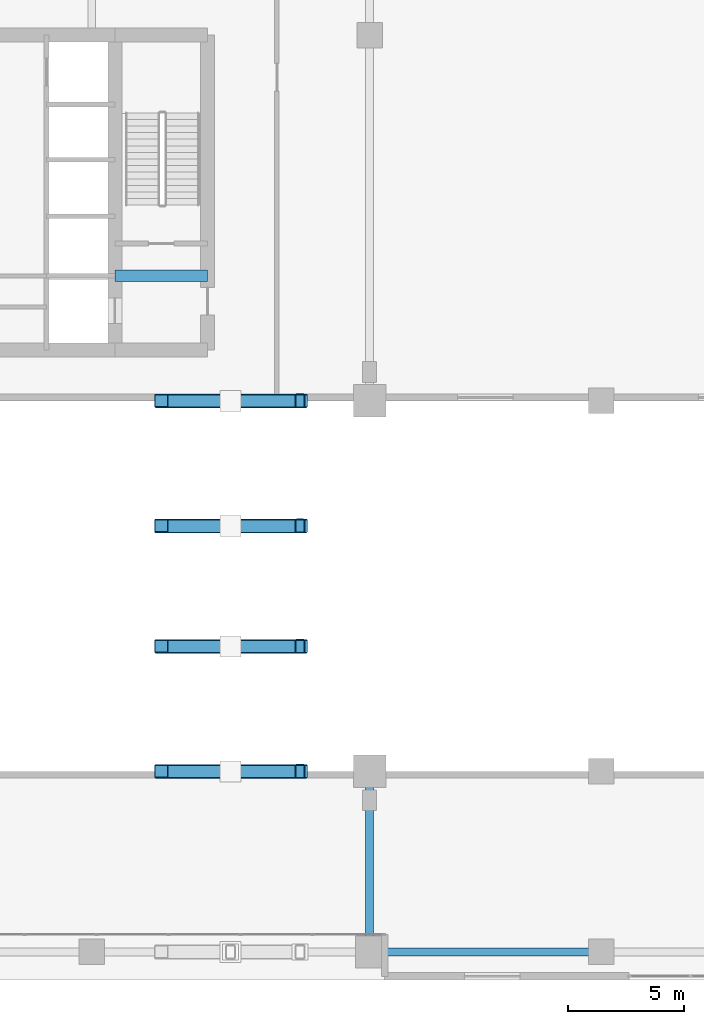
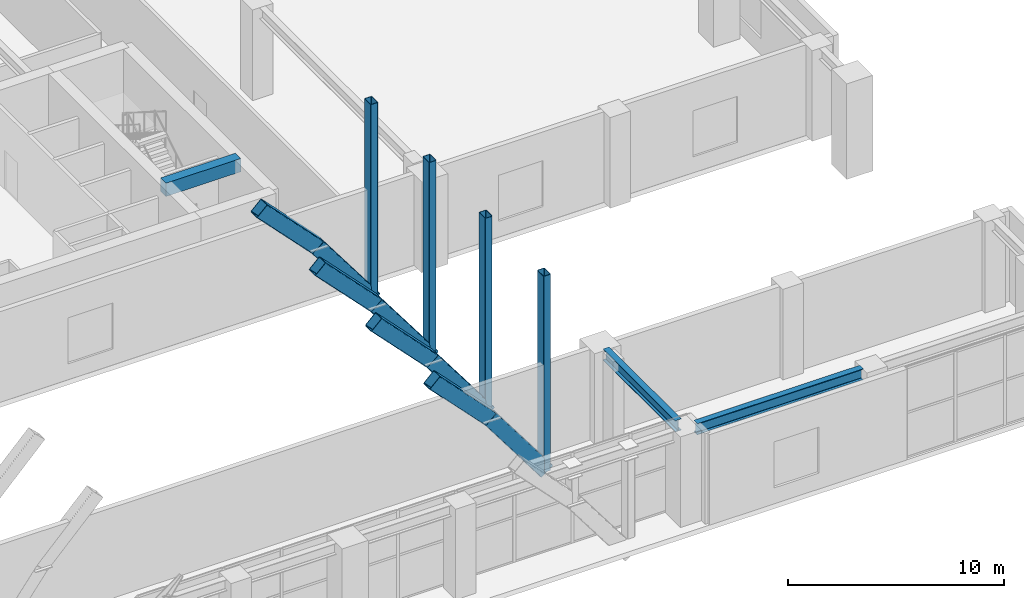
# One storey, part 8 of 28: 12 members, 3 beams.
"""IFC4 building model written with IfcOpenShell, lengths in metres."""

from ifc_helpers import new_model, si_unit, direction, frame, origin, origin_2d, place, context, subcontext, project, spatial, rectangle, hollow_rectangle, i_section, extrude, material, material_profile, profile_set, type_object, element, save


model = new_model("IFC4")

# Units and contexts
model_context = context("Model", 3, precision=1e-05, world=origin(), true_north=direction((0.0, 1.0)))
body_context = subcontext(model_context, "Body", "Model", "MODEL_VIEW")
ifc_project = project(units=[si_unit("LENGTHUNIT", "METRE"), si_unit("AREAUNIT", "SQUARE_METRE"), si_unit("VOLUMEUNIT", "CUBIC_METRE"), si_unit("PLANEANGLEUNIT", "RADIAN"), si_unit("MASSUNIT", "GRAM", prefix="KILO")], contexts=[model_context])

# Site, building, storey
site_placement = place(None, origin())
site = spatial("IfcSite", under=ifc_project, at=site_placement, CompositionType="ELEMENT")
building_placement = place(site_placement, origin())
building = spatial("IfcBuilding", under=site, at=building_placement, Name="Sarneth Arch Tower", CompositionType="ELEMENT")
storey_placement = place(building_placement, frame((0.0, 0.0, 6.0)))
storey = spatial("IfcBuildingStorey", under=building, at=storey_placement, Name="L01", CompositionType="ELEMENT", Elevation=6.0)

# Beams
ifc_material_1 = material(Name="Concrete C50/60", Category="concrete")
ifc_material_profile_1 = material_profile(ifc_material_1, rectangle(XDim=0.5, YDim=0.75, at=origin_2d()), Name="RC-500x750")
ifc_profile_set_1 = profile_set([ifc_material_profile_1], Name="Concrete C50/60")
beam_type_1 = type_object("IfcBeamType", Name="BM-LINTEL-RC", PredefinedType="LINTEL", material=ifc_profile_set_1)
beam_1_placement = place(storey_placement, frame((55.0, 38.39990234375, 4.7451171875), z_axis=(1.0, 0.0, 0.0), x_axis=(0.0, 1.0, 0.0)))
element("IfcBeam", 1, at=beam_1_placement, inside=storey, type_object=beam_type_1, Name="L01 Core coupling lintel E", PredefinedType="LINTEL", context=body_context, shape_type="SweptSolid", body=[
    extrude(rectangle(XDim=0.5, YDim=0.75, at=origin_2d()), origin(), (0.0, 0.0, 1.0), 4.0),
])
ifc_material_2 = material(Name="Steel S355", Category="steel")
ifc_material_profile_2 = material_profile(ifc_material_2, i_section(OverallWidth=0.3291015625, OverallDepth=0.635009765625, WebThickness=0.017822265625, FlangeThickness=0.031005859375, FilletRadius=0.01904296875, at=origin_2d()), Name="W610x241")
ifc_profile_set_2 = profile_set([ifc_material_profile_2], Name="Steel S355")
beam_type_2 = type_object("IfcBeamType", Name="BM-POD-610", PredefinedType="BEAM", material=ifc_profile_set_2)
beam_2_placement = place(storey_placement, frame((66.6044921875, 9.199951171875, 4.802490234375), z_axis=(1.0, 0.0, 0.0), x_axis=(0.0, 1.0, 0.0)))
element("IfcBeam", 2, at=beam_2_placement, inside=storey, type_object=beam_type_2, Name="L01 Podium PS girder 7", PredefinedType="BEAM", context=body_context, shape_type="SweptSolid", body=[
    extrude(i_section(OverallWidth=0.3291015625, OverallDepth=0.635009765625, WebThickness=0.017822265625, FlangeThickness=0.031005859375, FilletRadius=0.01904296875, at=origin_2d()), origin(), (0.0, 0.0, 1.0), 8.87548828125),
])
beam_3_placement = place(storey_placement, frame((66.0, 9.75, 4.802490234375), z_axis=(0.0, 1.0, 0.0), x_axis=(-1.0, 0.0, 0.0)))
element("IfcBeam", 3, at=beam_3_placement, inside=storey, type_object=beam_type_2, Name="L01 Podium N-S girder E66.1", PredefinedType="BEAM", context=body_context, shape_type="SweptSolid", body=[
    extrude(i_section(OverallWidth=0.3291015625, OverallDepth=0.635009765625, WebThickness=0.017822265625, FlangeThickness=0.031005859375, FilletRadius=0.01904296875, at=origin_2d()), origin(), (0.0, 0.0, 1.0), 6.699951171875),
])

# Members
ifc_material_3 = material(Name="Steel S355", Category="steel")
ifc_material_profile_3 = material_profile(ifc_material_3, hollow_rectangle(XDim=0.60009765625, YDim=0.800048828125, WallThickness=0.028076171875, InnerFilletRadius=0.0419921875, OuterFilletRadius=0.070068359375, at=origin_2d()), Name="RHS800x600x28")
ifc_profile_set_3 = profile_set([ifc_material_profile_3], Name="Steel S355")
member_type_1 = type_object("IfcMemberType", Name="MEM-ARCH-CHORD", PredefinedType="CHORD", material=ifc_profile_set_3)
member_1_placement = place(storey_placement, frame((57.0, 17.0, 6.13134765625), z_axis=(0.694675220792, 0.0, -0.71932352778), x_axis=(0.0, 1.0, 0.0)))
element("IfcMember", 4, at=member_1_placement, inside=storey, type_object=member_type_1, Name="Podium parabolic arch rib 2 segment 10", PredefinedType="CHORD", context=body_context, shape_type="SweptSolid", body=[
    extrude(hollow_rectangle(XDim=0.60009765625, YDim=0.800048828125, WallThickness=0.028076171875, InnerFilletRadius=0.0419921875, OuterFilletRadius=0.070068359375, at=origin_2d()), origin(), (0.0, 0.0, 1.0), 4.318603515625),
])
member_2_placement = place(storey_placement, frame((60.0, 17.0, 3.02490234375), z_axis=(0.60060981993, 0.0, -0.799542271681), x_axis=(0.0, 1.0, 0.0)))
element("IfcMember", 5, at=member_2_placement, inside=storey, type_object=member_type_1, Name="Podium parabolic arch rib 2 segment 11", PredefinedType="CHORD", context=body_context, shape_type="SweptSolid", body=[
    extrude(hollow_rectangle(XDim=0.60009765625, YDim=0.800048828125, WallThickness=0.028076171875, InnerFilletRadius=0.0419921875, OuterFilletRadius=0.070068359375, at=origin_2d()), origin(), (0.0, 0.0, 1.0), 4.994873046875),
])
member_3_placement = place(storey_placement, frame((57.0, 22.39990234375, 6.13134765625), z_axis=(0.694675220792, 0.0, -0.71932352778), x_axis=(0.0, 1.0, 0.0)))
element("IfcMember", 6, at=member_3_placement, inside=storey, type_object=member_type_1, Name="Podium parabolic arch rib 3 segment 10", PredefinedType="CHORD", context=body_context, shape_type="SweptSolid", body=[
    extrude(hollow_rectangle(XDim=0.60009765625, YDim=0.800048828125, WallThickness=0.028076171875, InnerFilletRadius=0.0419921875, OuterFilletRadius=0.070068359375, at=origin_2d()), origin(), (0.0, 0.0, 1.0), 4.318603515625),
])
member_4_placement = place(storey_placement, frame((60.0, 22.39990234375, 3.02490234375), z_axis=(0.60060981993, 0.0, -0.799542271681), x_axis=(0.0, 1.0, 0.0)))
element("IfcMember", 7, at=member_4_placement, inside=storey, type_object=member_type_1, Name="Podium parabolic arch rib 3 segment 11", PredefinedType="CHORD", context=body_context, shape_type="SweptSolid", body=[
    extrude(hollow_rectangle(XDim=0.60009765625, YDim=0.800048828125, WallThickness=0.028076171875, InnerFilletRadius=0.0419921875, OuterFilletRadius=0.070068359375, at=origin_2d()), origin(), (0.0, 0.0, 1.0), 4.994873046875),
])
member_5_placement = place(storey_placement, frame((57.0, 27.60009765625, 6.13134765625), z_axis=(0.694675220792, 0.0, -0.71932352778), x_axis=(0.0, 1.0, 0.0)))
element("IfcMember", 8, at=member_5_placement, inside=storey, type_object=member_type_1, Name="Podium parabolic arch rib 4 segment 10", PredefinedType="CHORD", context=body_context, shape_type="SweptSolid", body=[
    extrude(hollow_rectangle(XDim=0.60009765625, YDim=0.800048828125, WallThickness=0.028076171875, InnerFilletRadius=0.0419921875, OuterFilletRadius=0.070068359375, at=origin_2d()), origin(), (0.0, 0.0, 1.0), 4.318603515625),
])
member_6_placement = place(storey_placement, frame((60.0, 27.60009765625, 3.02490234375), z_axis=(0.60060981993, 0.0, -0.799542271681), x_axis=(0.0, 1.0, 0.0)))
element("IfcMember", 9, at=member_6_placement, inside=storey, type_object=member_type_1, Name="Podium parabolic arch rib 4 segment 11", PredefinedType="CHORD", context=body_context, shape_type="SweptSolid", body=[
    extrude(hollow_rectangle(XDim=0.60009765625, YDim=0.800048828125, WallThickness=0.028076171875, InnerFilletRadius=0.0419921875, OuterFilletRadius=0.070068359375, at=origin_2d()), origin(), (0.0, 0.0, 1.0), 4.994873046875),
])
member_7_placement = place(storey_placement, frame((57.0, 33.0, 6.13134765625), z_axis=(0.694675220792, 0.0, -0.71932352778), x_axis=(0.0, 1.0, 0.0)))
element("IfcMember", 10, at=member_7_placement, inside=storey, type_object=member_type_1, Name="Podium parabolic arch rib 5 segment 10", PredefinedType="CHORD", context=body_context, shape_type="SweptSolid", body=[
    extrude(hollow_rectangle(XDim=0.60009765625, YDim=0.800048828125, WallThickness=0.028076171875, InnerFilletRadius=0.0419921875, OuterFilletRadius=0.070068359375, at=origin_2d()), origin(), (0.0, 0.0, 1.0), 4.318603515625),
])
member_8_placement = place(storey_placement, frame((60.0, 33.0, 3.02490234375), z_axis=(0.60060981993, 0.0, -0.799542271681), x_axis=(0.0, 1.0, 0.0)))
element("IfcMember", 11, at=member_8_placement, inside=storey, type_object=member_type_1, Name="Podium parabolic arch rib 5 segment 11", PredefinedType="CHORD", context=body_context, shape_type="SweptSolid", body=[
    extrude(hollow_rectangle(XDim=0.60009765625, YDim=0.800048828125, WallThickness=0.028076171875, InnerFilletRadius=0.0419921875, OuterFilletRadius=0.070068359375, at=origin_2d()), origin(), (0.0, 0.0, 1.0), 4.994873046875),
])
ifc_material_4 = material(Name="Steel S355", Category="steel")
ifc_material_profile_4 = material_profile(ifc_material_4, hollow_rectangle(XDim=0.39990234375, YDim=0.60009765625, WallThickness=0.02197265625, InnerFilletRadius=0.032958984375, OuterFilletRadius=0.054931640625, at=origin_2d()), Name="RHS600x400x22")
ifc_profile_set_4 = profile_set([ifc_material_profile_4], Name="Steel S355")
member_type_2 = type_object("IfcMemberType", Name="MEM-ARCH-WEB", PredefinedType="BRACE", material=ifc_profile_set_4)
for number, where, z_axis, x_axis, name in (
    (12, (63.0, 17.0, -0.96875), (0.0, 0.0, 1.0), (1.0, 0.0, 0.0), "Podium arch spandrel post 2.11"),
    (13, (63.0, 22.39990234375, -0.96875), (0.0, 0.0, 1.0), (1.0, 0.0, 0.0), "Podium arch spandrel post 3.11"),
    (14, (63.0, 27.60009765625, -0.96875), (0.0, 0.0, 1.0), (1.0, 0.0, 0.0), "Podium arch spandrel post 4.11"),
    (15, (63.0, 33.0, -0.96875), (0.0, 0.0, 1.0), (1.0, 0.0, 0.0), "Podium arch spandrel post 5.11"),
):
    element("IfcMember", number, at=place(storey_placement, frame(where, z_axis=z_axis, x_axis=x_axis)), inside=storey, type_object=member_type_2, Name=name, PredefinedType="BRACE", context=body_context, shape_type="SweptSolid", body=[
        extrude(hollow_rectangle(XDim=0.39990234375, YDim=0.60009765625, WallThickness=0.02197265625, InnerFilletRadius=0.032958984375, OuterFilletRadius=0.054931640625, at=origin_2d()), origin(), (0.0, 0.0, 1.0), 11.09375),
    ])

save(model, "model.ifc")
